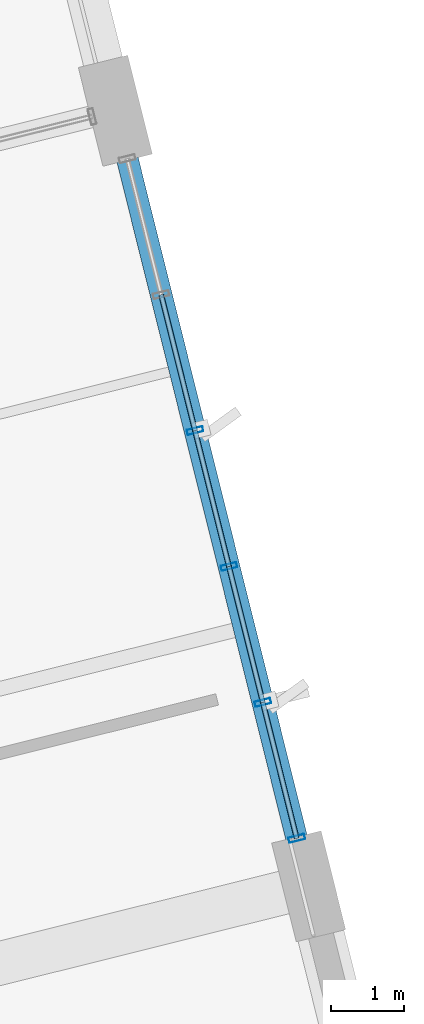
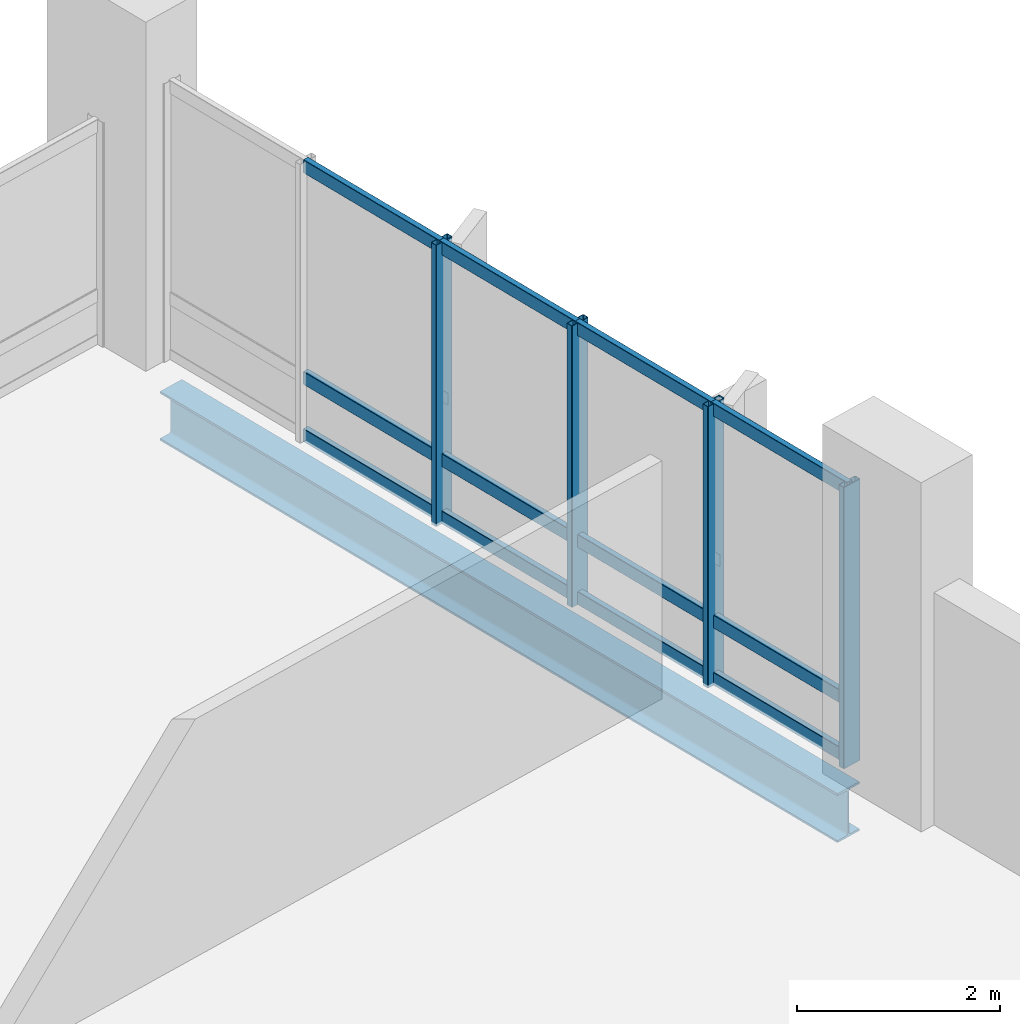
# One storey, part 21 of 42: 16 members, 1 beam, 1 element without a shape of its own.
"""IFC4 building model written with IfcOpenShell, lengths in metres."""

from ifc_helpers import new_model, si_unit, direction, frame, origin, origin_2d, place, context, subcontext, project, spatial, hollow_rectangle, i_section, extrude, material, layer, layer_set, material_profile, profile_set, type_object, element, aggregate, save


model = new_model("IFC4")

# Units and contexts
model_context = context("Model", 3, precision=1e-05, world=origin(), true_north=direction((0.0, 1.0)))
body_context = subcontext(model_context, "Body", "Model", "MODEL_VIEW")
ifc_project = project(units=[si_unit("LENGTHUNIT", "METRE"), si_unit("AREAUNIT", "SQUARE_METRE"), si_unit("VOLUMEUNIT", "CUBIC_METRE"), si_unit("PLANEANGLEUNIT", "RADIAN"), si_unit("MASSUNIT", "GRAM", prefix="KILO")], contexts=[model_context])

# Site, building, storey
site_placement = place(None, origin())
site = spatial("IfcSite", under=ifc_project, at=site_placement, CompositionType="ELEMENT")
building_placement = place(site_placement, origin())
building = spatial("IfcBuilding", under=site, at=building_placement, Name="Khorjan Park Terminus", CompositionType="ELEMENT")
storey_placement = place(building_placement, frame((0.0, 0.0, 20.4)))
storey = spatial("IfcBuildingStorey", under=building, at=storey_placement, Name="L04", CompositionType="ELEMENT", Elevation=20.4)

# Beam
ifc_material_1 = material(Name="Steel S355", Category="steel")
ifc_material_profile_1 = material_profile(ifc_material_1, i_section(OverallWidth=0.3, OverallDepth=0.59, WebThickness=0.013, FlangeThickness=0.025, FilletRadius=0.027, at=origin_2d()), Name="HEA 600")
ifc_profile_set_1 = profile_set([ifc_material_profile_1], Name="Steel S355")
beam_type = type_object("IfcBeamType", Name="BM-HEA600", PredefinedType="BEAM", material=ifc_profile_set_1)
beam_placement = place(storey_placement, frame((219.2268, 61.3342, -0.635), z_axis=(-0.241923473335, 0.970295332901, 0.0), x_axis=(-0.970295332901, -0.241923473335, 0.0)))
element("IfcBeam", 1, at=beam_placement, inside=storey, type_object=beam_type, Name="Primary skew-grid floor girder SB-A60 (L04)", PredefinedType="BEAM", context=body_context, shape_type="SweptSolid", body=[
    extrude(i_section(OverallWidth=0.3, OverallDepth=0.59, WebThickness=0.013, FlangeThickness=0.025, FilletRadius=0.027, at=origin_2d()), origin(), (0.0, 0.0, 1.0), 9.6101),
])

# Curtain wall, members
ifc_material_2 = material(Name="Anodized Bronze Aluminium", Category="aluminium")
ifc_layer = layer(ifc_material_2, 0.22)
ifc_layer_set = layer_set([ifc_layer], Name="Anodized Bronze Aluminium")
curtain_wall_type = type_object("IfcCurtainWallType", Name="CW-OPS-B", PredefinedType="NOTDEFINED", material=ifc_layer_set)
curtain_wall_placement = place(storey_placement, origin())
curtain_wall = element("IfcCurtainWall", 2, at=curtain_wall_placement, inside=storey, type_object=curtain_wall_type, Name="Unitized curtain wall CW-B (CW-V5-E-L04-B05)", PredefinedType="NOTDEFINED")
ifc_material_profile_2 = material_profile(ifc_material_2, hollow_rectangle(XDim=0.075, YDim=0.225, WallThickness=0.005, InnerFilletRadius=0.005, OuterFilletRadius=0.01, at=origin_2d()), Name="ALM 75x225x5")
ifc_profile_set_2 = profile_set([ifc_material_profile_2], Name="Anodized Bronze Aluminium")
member_type_1 = type_object("IfcMemberType", Name="ML-ALM-225", PredefinedType="MULLION", material=ifc_profile_set_2)
member_1_placement = place(storey_placement, frame((219.2305, 61.3198, -0.035), z_axis=(0.0, 0.0, 1.0), x_axis=(-0.241935125171, 0.970292427678, 0.0)))
member_1 = element("IfcMember", 3, at=member_1_placement, type_object=member_type_1, Name="Curtain-wall mullion ML-22 (CW-V5-E-L04-B05-0)", PredefinedType="MULLION", context=body_context, shape_type="SweptSolid", body=[
    extrude(hollow_rectangle(XDim=0.075, YDim=0.225, WallThickness=0.005, InnerFilletRadius=0.005, OuterFilletRadius=0.01, at=origin_2d()), origin(), (0.0, 0.0, 1.0), 3.385),
])
member_2_placement = place(storey_placement, frame((218.7641, 63.1905, -0.035), z_axis=(0.0, 0.0, 1.0), x_axis=(-0.241935125171, 0.970292427678, 0.0)))
member_2 = element("IfcMember", 4, at=member_2_placement, type_object=member_type_1, Name="Curtain-wall mullion ML-22 (CW-V5-E-L04-B05-1)", PredefinedType="MULLION", context=body_context, shape_type="SweptSolid", body=[
    extrude(hollow_rectangle(XDim=0.075, YDim=0.225, WallThickness=0.005, InnerFilletRadius=0.005, OuterFilletRadius=0.01, at=origin_2d()), origin(), (0.0, 0.0, 1.0), 3.385),
])
member_3_placement = place(storey_placement, frame((218.2976, 65.0612, -0.035), z_axis=(0.0, 0.0, 1.0), x_axis=(-0.241935125171, 0.970292427678, 0.0)))
member_3 = element("IfcMember", 5, at=member_3_placement, type_object=member_type_1, Name="Curtain-wall mullion ML-22 (CW-V5-E-L04-B05-2)", PredefinedType="MULLION", context=body_context, shape_type="SweptSolid", body=[
    extrude(hollow_rectangle(XDim=0.075, YDim=0.225, WallThickness=0.005, InnerFilletRadius=0.005, OuterFilletRadius=0.01, at=origin_2d()), origin(), (0.0, 0.0, 1.0), 3.385),
])
member_4_placement = place(storey_placement, frame((217.8312, 66.9318, -0.035), z_axis=(0.0, 0.0, 1.0), x_axis=(-0.241935125171, 0.970292427678, 0.0)))
member_4 = element("IfcMember", 6, at=member_4_placement, type_object=member_type_1, Name="Curtain-wall mullion ML-22 (CW-V5-E-L04-B05-3)", PredefinedType="MULLION", context=body_context, shape_type="SweptSolid", body=[
    extrude(hollow_rectangle(XDim=0.075, YDim=0.225, WallThickness=0.005, InnerFilletRadius=0.005, OuterFilletRadius=0.01, at=origin_2d()), origin(), (0.0, 0.0, 1.0), 3.385),
])
ifc_material_profile_3 = material_profile(ifc_material_2, hollow_rectangle(XDim=0.07, YDim=0.16, WallThickness=0.004, InnerFilletRadius=0.004, OuterFilletRadius=0.008, at=origin_2d()), Name="ALT 70x160x4")
ifc_profile_set_3 = profile_set([ifc_material_profile_3], Name="Anodized Bronze Aluminium")
member_type_2 = type_object("IfcMemberType", Name="TR-ALT-160", PredefinedType="USERDEFINED", material=ifc_profile_set_3)
member_5_placement = place(storey_placement, frame((219.2305, 61.3198, 0.04), z_axis=(-0.241913157049, 0.970297905, 0.0), x_axis=(-0.970297905, -0.241913157049, 0.0)))
member_5 = element("IfcMember", 7, at=member_5_placement, type_object=member_type_2, Name="Curtain-wall transom TR-16 (CW-V5-E-L04-B05-0-1)", ObjectType="TRANSOM", PredefinedType="USERDEFINED", context=body_context, shape_type="SweptSolid", body=[
    extrude(hollow_rectangle(XDim=0.07, YDim=0.16, WallThickness=0.004, InnerFilletRadius=0.004, OuterFilletRadius=0.008, at=origin_2d()), origin(), (0.0, 0.0, 1.0), 1.928),
])
member_6_placement = place(storey_placement, frame((219.2305, 61.3198, 0.729), z_axis=(-0.241913157049, 0.970297905, 0.0), x_axis=(-0.970297905, -0.241913157049, 0.0)))
member_6 = element("IfcMember", 8, at=member_6_placement, type_object=member_type_2, Name="Curtain-wall transom TR-16 (CW-V5-E-L04-B05-0-2)", ObjectType="TRANSOM", PredefinedType="USERDEFINED", context=body_context, shape_type="SweptSolid", body=[
    extrude(hollow_rectangle(XDim=0.07, YDim=0.16, WallThickness=0.004, InnerFilletRadius=0.004, OuterFilletRadius=0.008, at=origin_2d()), origin(), (0.0, 0.0, 1.0), 1.928),
])
member_7_placement = place(storey_placement, frame((219.2305, 61.3198, 3.275), z_axis=(-0.241913157049, 0.970297905, 0.0), x_axis=(-0.970297905, -0.241913157049, 0.0)))
member_7 = element("IfcMember", 9, at=member_7_placement, type_object=member_type_2, Name="Curtain-wall transom TR-16 (CW-V5-E-L04-B05-0-3)", ObjectType="TRANSOM", PredefinedType="USERDEFINED", context=body_context, shape_type="SweptSolid", body=[
    extrude(hollow_rectangle(XDim=0.07, YDim=0.16, WallThickness=0.004, InnerFilletRadius=0.004, OuterFilletRadius=0.008, at=origin_2d()), origin(), (0.0, 0.0, 1.0), 1.928),
])
member_8_placement = place(storey_placement, frame((218.7641, 63.1905, 0.04), z_axis=(-0.241961988875, 0.97028572902, 0.0), x_axis=(-0.97028572902, -0.241961988875, 0.0)))
member_8 = element("IfcMember", 10, at=member_8_placement, type_object=member_type_2, Name="Curtain-wall transom TR-16 (CW-V5-E-L04-B05-1-1)", ObjectType="TRANSOM", PredefinedType="USERDEFINED", context=body_context, shape_type="SweptSolid", body=[
    extrude(hollow_rectangle(XDim=0.07, YDim=0.16, WallThickness=0.004, InnerFilletRadius=0.004, OuterFilletRadius=0.008, at=origin_2d()), origin(), (0.0, 0.0, 1.0), 1.928),
])
member_9_placement = place(storey_placement, frame((218.7641, 63.1905, 0.729), z_axis=(-0.241961988875, 0.97028572902, 0.0), x_axis=(-0.97028572902, -0.241961988875, 0.0)))
member_9 = element("IfcMember", 11, at=member_9_placement, type_object=member_type_2, Name="Curtain-wall transom TR-16 (CW-V5-E-L04-B05-1-2)", ObjectType="TRANSOM", PredefinedType="USERDEFINED", context=body_context, shape_type="SweptSolid", body=[
    extrude(hollow_rectangle(XDim=0.07, YDim=0.16, WallThickness=0.004, InnerFilletRadius=0.004, OuterFilletRadius=0.008, at=origin_2d()), origin(), (0.0, 0.0, 1.0), 1.928),
])
member_10_placement = place(storey_placement, frame((218.7641, 63.1905, 3.275), z_axis=(-0.241961988875, 0.97028572902, 0.0), x_axis=(-0.97028572902, -0.241961988875, 0.0)))
member_10 = element("IfcMember", 12, at=member_10_placement, type_object=member_type_2, Name="Curtain-wall transom TR-16 (CW-V5-E-L04-B05-1-3)", ObjectType="TRANSOM", PredefinedType="USERDEFINED", context=body_context, shape_type="SweptSolid", body=[
    extrude(hollow_rectangle(XDim=0.07, YDim=0.16, WallThickness=0.004, InnerFilletRadius=0.004, OuterFilletRadius=0.008, at=origin_2d()), origin(), (0.0, 0.0, 1.0), 1.928),
])
member_11_placement = place(storey_placement, frame((218.2976, 65.0612, 0.04), z_axis=(-0.241925332546, 0.970294869342, 0.0), x_axis=(-0.970294869342, -0.241925332546, 0.0)))
member_11 = element("IfcMember", 13, at=member_11_placement, type_object=member_type_2, Name="Curtain-wall transom TR-16 (CW-V5-E-L04-B05-2-1)", ObjectType="TRANSOM", PredefinedType="USERDEFINED", context=body_context, shape_type="SweptSolid", body=[
    extrude(hollow_rectangle(XDim=0.07, YDim=0.16, WallThickness=0.004, InnerFilletRadius=0.004, OuterFilletRadius=0.008, at=origin_2d()), origin(), (0.0, 0.0, 1.0), 1.9279),
])
member_12_placement = place(storey_placement, frame((218.2976, 65.0612, 0.729), z_axis=(-0.241925332546, 0.970294869342, 0.0), x_axis=(-0.970294869342, -0.241925332546, 0.0)))
member_12 = element("IfcMember", 14, at=member_12_placement, type_object=member_type_2, Name="Curtain-wall transom TR-16 (CW-V5-E-L04-B05-2-2)", ObjectType="TRANSOM", PredefinedType="USERDEFINED", context=body_context, shape_type="SweptSolid", body=[
    extrude(hollow_rectangle(XDim=0.07, YDim=0.16, WallThickness=0.004, InnerFilletRadius=0.004, OuterFilletRadius=0.008, at=origin_2d()), origin(), (0.0, 0.0, 1.0), 1.9279),
])
member_13_placement = place(storey_placement, frame((218.2976, 65.0612, 3.275), z_axis=(-0.241925332546, 0.970294869342, 0.0), x_axis=(-0.970294869342, -0.241925332546, 0.0)))
member_13 = element("IfcMember", 15, at=member_13_placement, type_object=member_type_2, Name="Curtain-wall transom TR-16 (CW-V5-E-L04-B05-2-3)", ObjectType="TRANSOM", PredefinedType="USERDEFINED", context=body_context, shape_type="SweptSolid", body=[
    extrude(hollow_rectangle(XDim=0.07, YDim=0.16, WallThickness=0.004, InnerFilletRadius=0.004, OuterFilletRadius=0.008, at=origin_2d()), origin(), (0.0, 0.0, 1.0), 1.9279),
])
member_14_placement = place(storey_placement, frame((217.8312, 66.9318, 0.04), z_axis=(-0.241961988875, 0.97028572902, 0.0), x_axis=(-0.97028572902, -0.241961988875, 0.0)))
member_14 = element("IfcMember", 16, at=member_14_placement, type_object=member_type_2, Name="Curtain-wall transom TR-16 (CW-V5-E-L04-B05-3-1)", ObjectType="TRANSOM", PredefinedType="USERDEFINED", context=body_context, shape_type="SweptSolid", body=[
    extrude(hollow_rectangle(XDim=0.07, YDim=0.16, WallThickness=0.004, InnerFilletRadius=0.004, OuterFilletRadius=0.008, at=origin_2d()), origin(), (0.0, 0.0, 1.0), 1.928),
])
member_15_placement = place(storey_placement, frame((217.8312, 66.9318, 0.729), z_axis=(-0.241961988875, 0.97028572902, 0.0), x_axis=(-0.97028572902, -0.241961988875, 0.0)))
member_15 = element("IfcMember", 17, at=member_15_placement, type_object=member_type_2, Name="Curtain-wall transom TR-16 (CW-V5-E-L04-B05-3-2)", ObjectType="TRANSOM", PredefinedType="USERDEFINED", context=body_context, shape_type="SweptSolid", body=[
    extrude(hollow_rectangle(XDim=0.07, YDim=0.16, WallThickness=0.004, InnerFilletRadius=0.004, OuterFilletRadius=0.008, at=origin_2d()), origin(), (0.0, 0.0, 1.0), 1.928),
])
member_16_placement = place(storey_placement, frame((217.8312, 66.9318, 3.275), z_axis=(-0.241961988875, 0.97028572902, 0.0), x_axis=(-0.97028572902, -0.241961988875, 0.0)))
member_16 = element("IfcMember", 18, at=member_16_placement, type_object=member_type_2, Name="Curtain-wall transom TR-16 (CW-V5-E-L04-B05-3-3)", ObjectType="TRANSOM", PredefinedType="USERDEFINED", context=body_context, shape_type="SweptSolid", body=[
    extrude(hollow_rectangle(XDim=0.07, YDim=0.16, WallThickness=0.004, InnerFilletRadius=0.004, OuterFilletRadius=0.008, at=origin_2d()), origin(), (0.0, 0.0, 1.0), 1.928),
])
aggregate(curtain_wall, [member_1, member_2, member_3, member_4, member_5, member_6, member_7, member_8, member_9, member_10, member_11, member_12, member_13, member_14, member_15, member_16])

save(model, "model.ifc")
